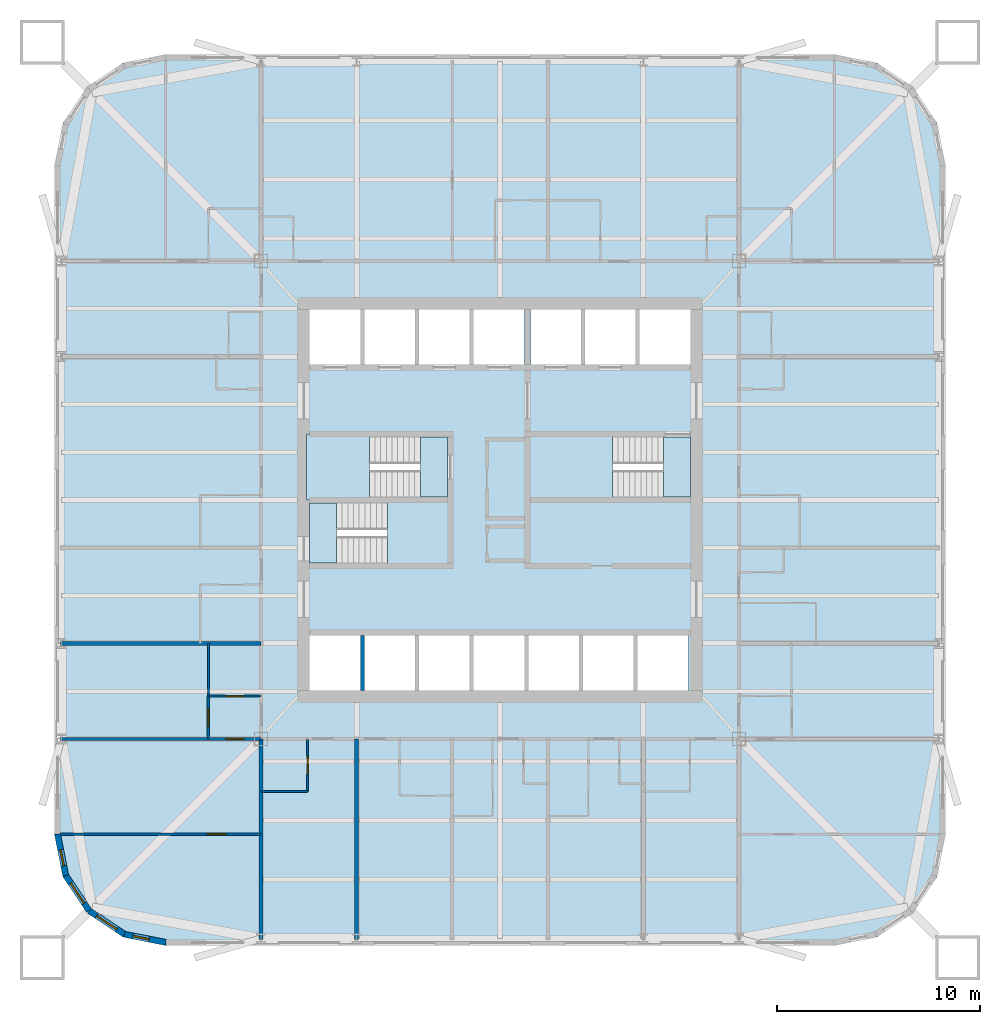
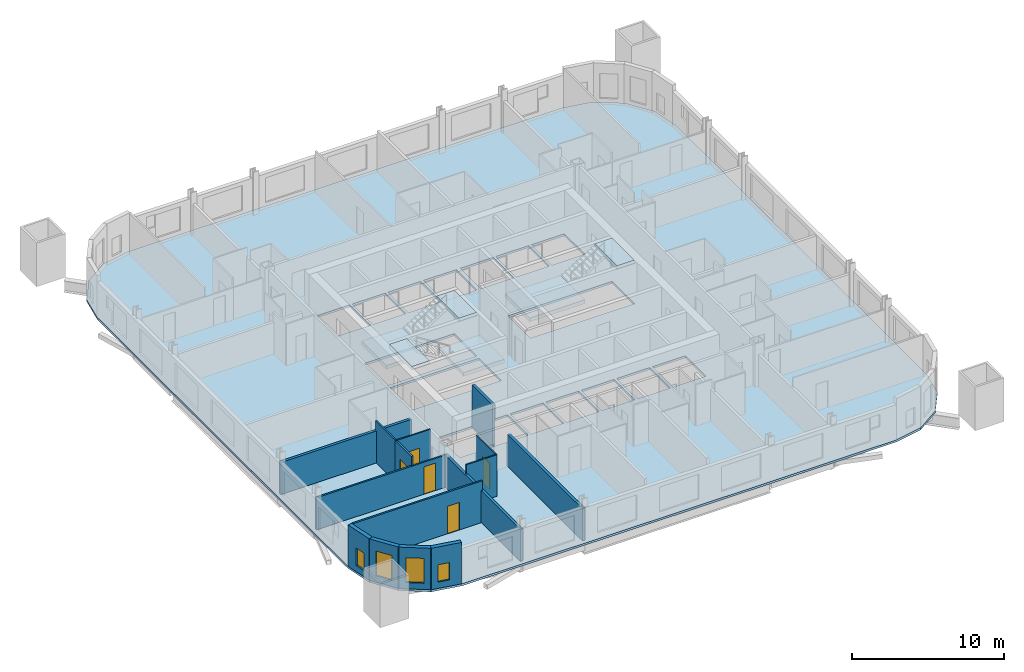
# One storey, part 2 of 10: 15 walls, 7 slabs, 5 doors, 4 windows, 9 openings, 3 elements without a shape of their own.
"""IFC4 building model written with IfcOpenShell, lengths in metres."""

from ifc_helpers import new_model, si_unit, direction, frame, frame_2d, origin, place, context, subcontext, project, spatial, polyline, rectangle, outline, extrude, material, layer, layer_set, type_object, element, fill, aggregate, save


model = new_model("IFC4")

# Units and contexts
model_context = context("Model", 3, precision=1e-05, world=origin(), true_north=direction((0.0, 1.0)))
body_context = subcontext(model_context, "Body", "Model", "MODEL_VIEW")
ifc_project = project(units=[si_unit("LENGTHUNIT", "METRE"), si_unit("AREAUNIT", "SQUARE_METRE"), si_unit("VOLUMEUNIT", "CUBIC_METRE"), si_unit("PLANEANGLEUNIT", "RADIAN"), si_unit("MASSUNIT", "GRAM", prefix="KILO")], contexts=[model_context])

# Site, building, storey
site_placement = place(None, origin())
site = spatial("IfcSite", under=ifc_project, at=site_placement, CompositionType="ELEMENT")
building_placement = place(site_placement, origin())
building = spatial("IfcBuilding", under=site, at=building_placement, Name="Turquesa Mirador Hotel Tower", CompositionType="ELEMENT")
storey_placement = place(building_placement, frame((0.0, 0.0, 77.5)))
storey = spatial("IfcBuildingStorey", under=building, at=storey_placement, Name="L20", CompositionType="ELEMENT", Elevation=77.5)

# Slab
ifc_material_1 = material(Name="Concrete C28/35", Category="concrete")
ifc_layer_1 = layer(ifc_material_1, 0.169921875)
ifc_layer_set_1 = layer_set([ifc_layer_1], Name="COMPOSITE FLOOR SLAB 170")
slab_type_1 = type_object("IfcSlabType", Name="COMPOSITE FLOOR SLAB 170", PredefinedType="FLOOR", material=ifc_layer_set_1)
slab_1_placement = place(storey_placement, frame((0.0, 0.0, -0.169921875)))
element("IfcSlab", 1, at=slab_1_placement, inside=storey, type_object=slab_type_1, Name="Floor slab L20", PredefinedType="FLOOR", context=body_context, shape_type="SweptSolid", body=[
    extrude(outline(polyline([(71.5, 23.0), (73.604736328125, 23.418701171875), (75.38916015625, 24.61083984375), (76.581298828125, 26.395263671875), (77.0, 28.5), (77.0, 61.5), (76.581298828125, 63.604736328125), (75.38916015625, 65.38916015625), (73.604736328125, 66.581298828125), (71.5, 67.0), (38.5, 67.0), (36.395263671875, 66.581298828125), (34.61083984375, 65.38916015625), (33.418701171875, 63.604736328125), (33.0, 61.5), (33.0, 28.5), (33.418701171875, 26.395263671875), (34.61083984375, 24.61083984375), (36.395263671875, 23.418701171875), (38.5, 23.0), (71.5, 23.0)]), holes=[polyline([(45.60009765625, 51.699951171875), (48.10009765625, 51.699951171875), (48.10009765625, 54.39990234375), (45.60009765625, 54.39990234375), (45.60009765625, 51.699951171875)]), polyline([(48.300048828125, 51.699951171875), (50.800048828125, 51.699951171875), (50.800048828125, 54.39990234375), (48.300048828125, 54.39990234375), (48.300048828125, 51.699951171875)]), polyline([(51.0, 51.699951171875), (53.5, 51.699951171875), (53.5, 54.39990234375), (51.0, 54.39990234375), (51.0, 51.699951171875)]), polyline([(53.699951171875, 51.699951171875), (56.199951171875, 51.699951171875), (56.199951171875, 54.39990234375), (53.699951171875, 54.39990234375), (53.699951171875, 51.699951171875)]), polyline([(56.5, 51.699951171875), (59.0, 51.699951171875), (59.0, 54.39990234375), (56.5, 54.39990234375), (56.5, 51.699951171875)]), polyline([(59.199951171875, 51.699951171875), (61.699951171875, 51.699951171875), (61.699951171875, 54.39990234375), (59.199951171875, 54.39990234375), (59.199951171875, 51.699951171875)]), polyline([(45.60009765625, 35.60009765625), (48.10009765625, 35.60009765625), (48.10009765625, 38.300048828125), (45.60009765625, 38.300048828125), (45.60009765625, 35.60009765625)]), polyline([(48.300048828125, 35.60009765625), (50.800048828125, 35.60009765625), (50.800048828125, 38.300048828125), (48.300048828125, 38.300048828125), (48.300048828125, 35.60009765625)]), polyline([(51.0, 35.60009765625), (53.5, 35.60009765625), (53.5, 38.300048828125), (51.0, 38.300048828125), (51.0, 35.60009765625)]), polyline([(53.699951171875, 35.60009765625), (56.199951171875, 35.60009765625), (56.199951171875, 38.300048828125), (53.699951171875, 38.300048828125), (53.699951171875, 35.60009765625)]), polyline([(56.39990234375, 35.60009765625), (58.89990234375, 35.60009765625), (58.89990234375, 38.300048828125), (56.39990234375, 38.300048828125), (56.39990234375, 35.60009765625)]), polyline([(59.10009765625, 35.60009765625), (61.60009765625, 35.60009765625), (61.60009765625, 38.300048828125), (59.10009765625, 38.300048828125), (59.10009765625, 35.60009765625)]), polyline([(61.800048828125, 35.60009765625), (64.300048828125, 35.60009765625), (64.300048828125, 38.300048828125), (61.800048828125, 38.300048828125), (61.800048828125, 35.60009765625)]), polyline([(45.60009765625, 45.14990234375), (52.39990234375, 45.14990234375), (52.39990234375, 48.10009765625), (45.60009765625, 48.10009765625), (45.60009765625, 45.14990234375)]), polyline([(45.60009765625, 41.89990234375), (52.39990234375, 41.89990234375), (52.39990234375, 44.85009765625), (45.60009765625, 44.85009765625), (45.60009765625, 41.89990234375)]), polyline([(56.5, 45.14990234375), (64.39990234375, 45.14990234375), (64.39990234375, 48.10009765625), (56.5, 48.10009765625), (56.5, 45.14990234375)]), polyline([(61.89990234375, 51.699951171875), (64.39990234375, 51.699951171875), (64.39990234375, 54.39990234375), (61.89990234375, 54.39990234375), (61.89990234375, 51.699951171875)])]), origin(), (0.0, 0.0, 1.0), 0.169921875),
])

# Stair, slabs
ifc_material_2 = material(Name="Concrete C35/45", Category="concrete")
stair_type = type_object("IfcStairType", Name="ESCAPE STAIR CORE", PredefinedType="HALF_TURN_STAIR", material=ifc_material_2)
stair_1_placement = place(storey_placement, origin())
stair_1 = element("IfcStair", 2, at=stair_1_placement, inside=storey, type_object=stair_type, Name="Stair ST1 L20 to L21", PredefinedType="HALF_TURN_STAIR")
ifc_material_3 = material(Name="Concrete C35/45", Category="concrete")
ifc_layer_2 = layer(ifc_material_3, 0.300048828125)
ifc_layer_set_2 = layer_set([ifc_layer_2], Name="STAIR LANDING 300")
slab_type_2 = type_object("IfcSlabType", Name="STAIR LANDING 300", PredefinedType="LANDING", material=ifc_layer_set_2)
slab_2_placement = place(storey_placement, frame((0.0, 0.0, 1.449951171875)))
slab_2 = element("IfcSlab", 3, at=slab_2_placement, type_object=slab_type_2, Name="ST1 landing 1", PredefinedType="LANDING", context=body_context, shape_type="SweptSolid", body=[
    extrude(outline(polyline([(45.449951171875, 45.0), (48.550048828125, 45.0), (48.550048828125, 48.25), (45.449951171875, 48.25), (45.449951171875, 45.0)])), origin(), (0.0, 0.0, 1.0), 0.300048828125),
])
slab_3_placement = place(storey_placement, frame((0.0, 0.0, 3.199951171875)))
slab_3 = element("IfcSlab", 4, at=slab_3_placement, type_object=slab_type_2, Name="ST1 landing 2", PredefinedType="LANDING", context=body_context, shape_type="SweptSolid", body=[
    extrude(outline(polyline([(51.070068359375, 45.14990234375), (52.39990234375, 45.14990234375), (52.39990234375, 48.10009765625), (51.070068359375, 48.10009765625), (51.070068359375, 45.14990234375)])), origin(), (0.0, 0.0, 1.0), 0.300048828125),
])
aggregate(stair_1, [slab_2, slab_3])

stair_2_placement = place(storey_placement, origin())
stair_2 = element("IfcStair", 5, at=stair_2_placement, inside=storey, type_object=stair_type, Name="Stair ST2 L20 to L21", PredefinedType="HALF_TURN_STAIR")
slab_4_placement = place(storey_placement, frame((0.0, 0.0, 1.449951171875)))
slab_4 = element("IfcSlab", 6, at=slab_4_placement, type_object=slab_type_2, Name="ST2 landing 1", PredefinedType="LANDING", context=body_context, shape_type="SweptSolid", body=[
    extrude(outline(polyline([(52.550048828125, 45.0), (49.449951171875, 45.0), (49.449951171875, 41.75), (52.550048828125, 41.75), (52.550048828125, 45.0)])), origin(), (0.0, 0.0, 1.0), 0.300048828125),
])
slab_5_placement = place(storey_placement, frame((0.0, 0.0, 3.199951171875)))
slab_5 = element("IfcSlab", 7, at=slab_5_placement, type_object=slab_type_2, Name="ST2 landing 2", PredefinedType="LANDING", context=body_context, shape_type="SweptSolid", body=[
    extrude(outline(polyline([(46.929931640625, 44.85009765625), (45.60009765625, 44.85009765625), (45.60009765625, 41.89990234375), (46.929931640625, 41.89990234375), (46.929931640625, 44.85009765625)])), origin(), (0.0, 0.0, 1.0), 0.300048828125),
])
aggregate(stair_2, [slab_4, slab_5])

stair_3_placement = place(storey_placement, origin())
stair_3 = element("IfcStair", 8, at=stair_3_placement, inside=storey, type_object=stair_type, Name="Stair ST3 L20 to L21", PredefinedType="HALF_TURN_STAIR")
slab_6_placement = place(storey_placement, frame((0.0, 0.0, 1.449951171875)))
slab_6 = element("IfcSlab", 9, at=slab_6_placement, type_object=slab_type_2, Name="ST3 landing 1", PredefinedType="LANDING", context=body_context, shape_type="SweptSolid", body=[
    extrude(outline(polyline([(56.35009765625, 45.0), (60.550048828125, 45.0), (60.550048828125, 48.25), (56.35009765625, 48.25), (56.35009765625, 45.0)])), origin(), (0.0, 0.0, 1.0), 0.300048828125),
])
slab_7_placement = place(storey_placement, frame((0.0, 0.0, 3.199951171875)))
slab_7 = element("IfcSlab", 10, at=slab_7_placement, type_object=slab_type_2, Name="ST3 landing 2", PredefinedType="LANDING", context=body_context, shape_type="SweptSolid", body=[
    extrude(outline(polyline([(63.070068359375, 45.14990234375), (64.39990234375, 45.14990234375), (64.39990234375, 48.10009765625), (63.070068359375, 48.10009765625), (63.070068359375, 45.14990234375)])), origin(), (0.0, 0.0, 1.0), 0.300048828125),
])
aggregate(stair_3, [slab_6, slab_7])

# Wall
ifc_material_4 = material(Name="Gypsum board on steel studs", Category="steel")
ifc_layer_3 = layer(ifc_material_4, 0.10009765625)
ifc_layer_set_3 = layer_set([ifc_layer_3], Name="BATHROOM WALL 100")
wall_type_1 = type_object("IfcWallType", Name="BATHROOM WALL 100", PredefinedType="PARTITIONING", material=ifc_layer_set_3)
wall_1_placement = place(storey_placement, frame((43.199951171875, 30.60009765625, 0.0), z_axis=(0.0, 0.0, 1.0), x_axis=(1.0, 0.0, 0.0)))
element("IfcWall", 11, at=wall_1_placement, inside=storey, type_object=wall_type_1, Name="Partition L20 006", PredefinedType="PARTITIONING", context=body_context, shape_type="SweptSolid", body=[
    extrude(rectangle(XDim=2.300048828125, YDim=0.10009765625, at=frame_2d((1.14990234375, 0.0))), origin(), (0.0, 0.0, 1.0), 3.330078125),
])

# Wall, opening, door
wall_2_placement = place(storey_placement, frame((40.60009765625, 35.320068359375, 0.0), z_axis=(0.0, 0.0, 1.0), x_axis=(1.0, 0.0, 0.0)))
wall_2 = element("IfcWall", 12, at=wall_2_placement, inside=storey, type_object=wall_type_1, Name="Partition L20 020", PredefinedType="PARTITIONING", context=body_context, shape_type="SweptSolid", body=[
    extrude(rectangle(XDim=2.599853515625, YDim=0.10009765625, at=frame_2d((1.2998046875, 0.0))), origin(), (0.0, 0.0, 1.0), 3.330078125),
])
opening_1_placement = place(wall_2_placement, frame((0.85009765625, 0.0, 0.0)))
opening_1 = element("IfcOpeningElement", 13, at=opening_1_placement, cuts=wall_2, Name="Opening D02", PredefinedType="OPENING", context=body_context, shape_type="SweptSolid", body=[
    extrude(rectangle(XDim=0.89990234375, YDim=2.10009765625, at=frame_2d((0.449951171875, 1.050048828125))), frame((0.0, 0.06005859375, 0.0), z_axis=(0.0, -1.0, 0.0), x_axis=(1.0, 0.0, 0.0)), (0.0, 0.0, 1.0), 0.1201171875),
])
ifc_material_5 = material(Name="Timber veneered door", Category="wood")
door_type_1 = type_object("IfcDoorType", Name="DOOR 900X2100 EN-SUITE", OperationType="SINGLE_SWING_RIGHT", PredefinedType="DOOR", material=ifc_material_5)
door_1_placement = place(opening_1_placement, origin())
door_1 = element("IfcDoor", 14, at=door_1_placement, inside=storey, type_object=door_type_1, Name="Door 2014B", OperationType="SINGLE_SWING_RIGHT", OverallHeight=2.10009765625, OverallWidth=0.89990234375, PredefinedType="DOOR", context=body_context, shape_type="SweptSolid", body=[
    extrude(rectangle(XDim=0.89990234375, YDim=2.10009765625, at=frame_2d((0.449951171875, 1.050048828125))), frame((0.0, 0.02490234375, 0.0), z_axis=(0.0, -1.0, 0.0), x_axis=(1.0, 0.0, 0.0)), (0.0, 0.0, 1.0), 0.050048828125),
])
fill(opening_1, door_1)

# Wall
wall_3_placement = place(storey_placement, frame((40.60009765625, 35.320068359375, 0.0), z_axis=(0.0, 0.0, 1.0), x_axis=(0.0, 1.0, 0.0)))
element("IfcWall", 15, at=wall_3_placement, inside=storey, type_object=wall_type_1, Name="Partition L20 048", PredefinedType="PARTITIONING", context=body_context, shape_type="SweptSolid", body=[
    extrude(rectangle(XDim=2.599853515625, YDim=0.10009765625, at=frame_2d((1.2998046875, 0.0))), origin(), (0.0, 0.0, 1.0), 3.330078125),
])

# Wall, opening, door
wall_4_placement = place(storey_placement, frame((45.5, 30.60009765625, 0.0), z_axis=(0.0, 0.0, 1.0), x_axis=(0.0, 1.0, 0.0)))
wall_4 = element("IfcWall", 16, at=wall_4_placement, inside=storey, type_object=wall_type_1, Name="Partition L20 058", PredefinedType="PARTITIONING", context=body_context, shape_type="SweptSolid", body=[
    extrude(rectangle(XDim=2.599853515625, YDim=0.10009765625, at=frame_2d((1.2998046875, 0.0))), origin(), (0.0, 0.0, 1.0), 3.330078125),
])
opening_2_placement = place(wall_4_placement, frame((0.85009765625, 0.0, 0.0)))
opening_2 = element("IfcOpeningElement", 17, at=opening_2_placement, cuts=wall_4, Name="Opening D02", PredefinedType="OPENING", context=body_context, shape_type="SweptSolid", body=[
    extrude(rectangle(XDim=0.89990234375, YDim=2.10009765625, at=frame_2d((0.449951171875, 1.050048828125))), frame((0.0, 0.06005859375, 0.0), z_axis=(0.0, -1.0, 0.0), x_axis=(1.0, 0.0, 0.0)), (0.0, 0.0, 1.0), 0.1201171875),
])
door_2_placement = place(opening_2_placement, origin())
door_2 = element("IfcDoor", 18, at=door_2_placement, inside=storey, type_object=door_type_1, Name="Door 2003B", OperationType="SINGLE_SWING_RIGHT", OverallHeight=2.10009765625, OverallWidth=0.89990234375, PredefinedType="DOOR", context=body_context, shape_type="SweptSolid", body=[
    extrude(rectangle(XDim=0.89990234375, YDim=2.10009765625, at=frame_2d((0.449951171875, 1.050048828125))), frame((0.0, 0.02490234375, 0.0), z_axis=(0.0, -1.0, 0.0), x_axis=(1.0, 0.0, 0.0)), (0.0, 0.0, 1.0), 0.050048828125),
])
fill(opening_2, door_2)

# Wall, opening, window
ifc_material_6 = material(Name="Limestone cladding on concrete block", Category="masonry")
ifc_layer_4 = layer(ifc_material_6, 0.300048828125)
ifc_layer_set_4 = layer_set([ifc_layer_4], Name="FACADE WALL 300 STONE SCREEN")
wall_type_2 = type_object("IfcWallType", Name="FACADE WALL 300 STONE SCREEN", PredefinedType="SOLIDWALL", material=ifc_layer_set_4)
wall_5_placement = place(storey_placement, frame((33.14990234375, 28.5, 0.0), z_axis=(0.0, 0.0, 1.0), x_axis=(0.195081421501, -0.980787050784, 0.0)))
wall_5 = element("IfcWall", 19, at=wall_5_placement, inside=storey, type_object=wall_type_2, Name="Facade wall L20 15", PredefinedType="SOLIDWALL", context=body_context, shape_type="SweptSolid", body=[
    extrude(rectangle(XDim=2.08740234375, YDim=0.300048828125, at=frame_2d((1.043701171875, 0.0))), origin(), (0.0, 0.0, 1.0), 3.330078125),
])
opening_3_placement = place(wall_5_placement, frame((0.793701171875, 0.0, 0.5)))
opening_3 = element("IfcOpeningElement", 20, at=opening_3_placement, cuts=wall_5, Name="Opening WN20", PredefinedType="OPENING", context=body_context, shape_type="SweptSolid", body=[
    extrude(rectangle(XDim=0.800048828125, YDim=1.39990234375, at=frame_2d((0.39990234375, 0.699951171875))), frame((0.0, 0.159912109375, 0.0), z_axis=(0.0, -1.0, 0.0), x_axis=(1.0, 0.0, 0.0)), (0.0, 0.0, 1.0), 0.320068359375),
])
ifc_material_7 = material(Name="Ceramic-fritted laminated glass", Category="glass")
window_type_1 = type_object("IfcWindowType", Name="FRITTED CORNER WINDOW 800X1400", PartitioningType="DOUBLE_PANEL_HORIZONTAL", PredefinedType="WINDOW", material=ifc_material_7)
window_1_placement = place(opening_3_placement, origin())
window_1 = element("IfcWindow", 21, at=window_1_placement, inside=storey, type_object=window_type_1, Name="Window L20", OverallHeight=1.39990234375, OverallWidth=0.800048828125, PartitioningType="SINGLE_PANEL", PredefinedType="WINDOW", context=body_context, shape_type="SweptSolid", body=[
    extrude(rectangle(XDim=0.800048828125, YDim=1.39990234375, at=frame_2d((0.39990234375, 0.699951171875))), frame((0.0, 0.030029296875, 0.0), z_axis=(0.0, -1.0, 0.0), x_axis=(1.0, 0.0, 0.0)), (0.0, 0.0, 1.0), 0.06005859375),
])
fill(opening_3, window_1)

wall_6_placement = place(storey_placement, frame((33.55712890625, 26.45263671875, 0.0), z_axis=(0.0, 0.0, 1.0), x_axis=(0.555644460423, -0.831420010345, 0.0)))
wall_6 = element("IfcWall", 22, at=wall_6_placement, inside=storey, type_object=wall_type_2, Name="Facade wall L20 16", PredefinedType="SOLIDWALL", context=body_context, shape_type="SweptSolid", body=[
    extrude(rectangle(XDim=2.08740234375, YDim=0.300048828125, at=frame_2d((1.043701171875, 0.0))), origin(), (0.0, 0.0, 1.0), 3.330078125),
])
opening_4_placement = place(wall_6_placement, frame((0.443603515625, 0.0, 0.5)))
opening_4 = element("IfcOpeningElement", 23, at=opening_4_placement, cuts=wall_6, Name="Opening WN4", PredefinedType="OPENING", context=body_context, shape_type="SweptSolid", body=[
    extrude(rectangle(XDim=1.199951171875, YDim=2.0, at=frame_2d((0.60009765625, 1.0))), frame((0.0, 0.159912109375, 0.0), z_axis=(0.0, -1.0, 0.0), x_axis=(1.0, 0.0, 0.0)), (0.0, 0.0, 1.0), 0.320068359375),
])
ifc_material_8 = material(Name="Ceramic-fritted laminated glass", Category="glass")
window_type_2 = type_object("IfcWindowType", Name="FRITTED CORNER WINDOW 1200X2000", PartitioningType="DOUBLE_PANEL_HORIZONTAL", PredefinedType="WINDOW", material=ifc_material_8)
window_2_placement = place(opening_4_placement, origin())
window_2 = element("IfcWindow", 24, at=window_2_placement, inside=storey, type_object=window_type_2, Name="Window L20", OverallHeight=2.0, OverallWidth=1.199951171875, PartitioningType="SINGLE_PANEL", PredefinedType="WINDOW", context=body_context, shape_type="SweptSolid", body=[
    extrude(rectangle(XDim=1.199951171875, YDim=2.0, at=frame_2d((0.60009765625, 1.0))), frame((0.0, 0.030029296875, 0.0), z_axis=(0.0, -1.0, 0.0), x_axis=(1.0, 0.0, 0.0)), (0.0, 0.0, 1.0), 0.06005859375),
])
fill(opening_4, window_2)

wall_7_placement = place(storey_placement, frame((34.717041015625, 24.717041015625, 0.0), z_axis=(0.0, 0.0, 1.0), x_axis=(0.831420010345, -0.555644460423, 0.0)))
wall_7 = element("IfcWall", 25, at=wall_7_placement, inside=storey, type_object=wall_type_2, Name="Facade wall L20 17", PredefinedType="SOLIDWALL", context=body_context, shape_type="SweptSolid", body=[
    extrude(rectangle(XDim=2.08740234375, YDim=0.300048828125, at=frame_2d((1.043701171875, 0.0))), origin(), (0.0, 0.0, 1.0), 3.330078125),
])
opening_5_placement = place(wall_7_placement, frame((0.443603515625, 0.0, 0.5)))
opening_5 = element("IfcOpeningElement", 26, at=opening_5_placement, cuts=wall_7, Name="Opening WN4", PredefinedType="OPENING", context=body_context, shape_type="SweptSolid", body=[
    extrude(rectangle(XDim=1.199951171875, YDim=2.0, at=frame_2d((0.60009765625, 1.0))), frame((0.0, 0.159912109375, 0.0), z_axis=(0.0, -1.0, 0.0), x_axis=(1.0, 0.0, 0.0)), (0.0, 0.0, 1.0), 0.320068359375),
])
window_3_placement = place(opening_5_placement, origin())
window_3 = element("IfcWindow", 27, at=window_3_placement, inside=storey, type_object=window_type_2, Name="Window L20", OverallHeight=2.0, OverallWidth=1.199951171875, PartitioningType="SINGLE_PANEL", PredefinedType="WINDOW", context=body_context, shape_type="SweptSolid", body=[
    extrude(rectangle(XDim=1.199951171875, YDim=2.0, at=frame_2d((0.60009765625, 1.0))), frame((0.0, 0.030029296875, 0.0), z_axis=(0.0, -1.0, 0.0), x_axis=(1.0, 0.0, 0.0)), (0.0, 0.0, 1.0), 0.06005859375),
])
fill(opening_5, window_3)

wall_8_placement = place(storey_placement, frame((36.45263671875, 23.55712890625, 0.0), z_axis=(0.0, 0.0, 1.0), x_axis=(0.980787050784, -0.195081421501, 0.0)))
wall_8 = element("IfcWall", 28, at=wall_8_placement, inside=storey, type_object=wall_type_2, Name="Facade wall L20 18", PredefinedType="SOLIDWALL", context=body_context, shape_type="SweptSolid", body=[
    extrude(rectangle(XDim=2.08740234375, YDim=0.300048828125, at=frame_2d((1.043701171875, 0.0))), origin(), (0.0, 0.0, 1.0), 3.330078125),
])
opening_6_placement = place(wall_8_placement, frame((0.443603515625, 0.0, 0.5)))
opening_6 = element("IfcOpeningElement", 29, at=opening_6_placement, cuts=wall_8, Name="Opening WN20", PredefinedType="OPENING", context=body_context, shape_type="SweptSolid", body=[
    extrude(rectangle(XDim=0.800048828125, YDim=1.39990234375, at=frame_2d((0.39990234375, 0.699951171875))), frame((0.0, 0.159912109375, 0.0), z_axis=(0.0, -1.0, 0.0), x_axis=(1.0, 0.0, 0.0)), (0.0, 0.0, 1.0), 0.320068359375),
])
window_4_placement = place(opening_6_placement, origin())
window_4 = element("IfcWindow", 30, at=window_4_placement, inside=storey, type_object=window_type_1, Name="Window L20", OverallHeight=1.39990234375, OverallWidth=0.800048828125, PartitioningType="SINGLE_PANEL", PredefinedType="WINDOW", context=body_context, shape_type="SweptSolid", body=[
    extrude(rectangle(XDim=0.800048828125, YDim=1.39990234375, at=frame_2d((0.39990234375, 0.699951171875))), frame((0.0, 0.030029296875, 0.0), z_axis=(0.0, -1.0, 0.0), x_axis=(1.0, 0.0, 0.0)), (0.0, 0.0, 1.0), 0.06005859375),
])
fill(opening_6, window_4)

# Walls
ifc_material_9 = material(Name="Fire-rated gypsum shaft wall on steel studs", Category="steel")
ifc_layer_5 = layer(ifc_material_9, 0.199951171875)
ifc_layer_set_5 = layer_set([ifc_layer_5], Name="LIFT SHAFT DIVIDER 200")
wall_type_3 = type_object("IfcWallType", Name="LIFT SHAFT DIVIDER 200", PredefinedType="PARTITIONING", material=ifc_layer_set_5)
wall_9_placement = place(storey_placement, frame((48.199951171875, 35.60009765625, 0.0), z_axis=(0.0, 0.0, 1.0), x_axis=(0.0, 1.0, 0.0)))
element("IfcWall", 31, at=wall_9_placement, inside=storey, type_object=wall_type_3, Name="Lift shaft divider", PredefinedType="PARTITIONING", context=body_context, shape_type="SweptSolid", body=[
    extrude(rectangle(XDim=2.699951171875, YDim=0.199951171875, at=frame_2d((1.35009765625, 0.0))), origin(), (0.0, 0.0, 1.0), 3.330078125),
])
ifc_material_10 = material(Name="Fire-rated gypsum board on steel studs", Category="steel")
ifc_layer_6 = layer(ifc_material_10, 0.199951171875)
ifc_layer_set_6 = layer_set([ifc_layer_6], Name="PARTY WALL 200")
wall_type_4 = type_object("IfcWallType", Name="PARTY WALL 200", PredefinedType="PARTITIONING", material=ifc_layer_set_6)
for number, where, z_axis, x_axis, name in (
    (32, (33.300048828125, 37.919921875, 0.0), (0.0, 0.0, 1.0), (1.0, 0.0, 0.0), "Partition L20 018"),
    (33, (43.199951171875, 23.300048828125, 0.0), (0.0, 0.0, 1.0), (0.0, 1.0, 0.0), "Partition L20 044"),
    (34, (47.919921875, 23.300048828125, 0.0), (0.0, 0.0, 1.0), (0.0, 1.0, 0.0), "Partition L20 057"),
):
    element("IfcWall", number, at=place(storey_placement, frame(where, z_axis=z_axis, x_axis=x_axis)), inside=storey, type_object=wall_type_4, Name=name, PredefinedType="PARTITIONING", context=body_context, shape_type="SweptSolid", body=[
        extrude(rectangle(XDim=9.89990234375, YDim=0.199951171875, at=frame_2d((4.949951171875, 0.0))), origin(), (0.0, 0.0, 1.0), 2.572998046875),
    ])

# Wall, opening, door
ifc_material_11 = material(Name="Acoustic gypsum board on steel studs", Category="steel")
ifc_layer_7 = layer(ifc_material_11, 0.125)
ifc_layer_set_7 = layer_set([ifc_layer_7], Name="SUITE PARTITION 125")
wall_type_5 = type_object("IfcWallType", Name="SUITE PARTITION 125", PredefinedType="PARTITIONING", material=ifc_layer_set_7)
wall_10_placement = place(storey_placement, frame((33.300048828125, 33.199951171875, 0.0), z_axis=(0.0, 0.0, 1.0), x_axis=(1.0, 0.0, 0.0)))
wall_10 = element("IfcWall", 35, at=wall_10_placement, inside=storey, type_object=wall_type_5, Name="Partition L20 002", PredefinedType="PARTITIONING", context=body_context, shape_type="SweptSolid", body=[
    extrude(rectangle(XDim=9.89990234375, YDim=0.125, at=frame_2d((4.949951171875, 0.0))), origin(), (0.0, 0.0, 1.0), 2.572998046875),
])
opening_7_placement = place(wall_10_placement, frame((8.14990234375, 0.0, 0.0)))
opening_7 = element("IfcOpeningElement", 36, at=opening_7_placement, cuts=wall_10, Name="Opening D17", PredefinedType="OPENING", context=body_context, shape_type="SweptSolid", body=[
    extrude(rectangle(XDim=0.89990234375, YDim=2.199951171875, at=frame_2d((0.449951171875, 1.10009765625))), frame((0.0, 0.072509765625, 0.0), z_axis=(0.0, -1.0, 0.0), x_axis=(1.0, 0.0, 0.0)), (0.0, 0.0, 1.0), 0.14501953125),
])
ifc_material_12 = material(Name="Timber veneered door", Category="wood")
door_type_2 = type_object("IfcDoorType", Name="DOOR 900X2200 SUITE INTERNAL", OperationType="SINGLE_SWING_LEFT", PredefinedType="DOOR", material=ifc_material_12)
door_3_placement = place(opening_7_placement, origin())
door_3 = element("IfcDoor", 37, at=door_3_placement, inside=storey, type_object=door_type_2, Name="Door 2014", OperationType="SINGLE_SWING_LEFT", OverallHeight=2.199951171875, OverallWidth=0.89990234375, PredefinedType="DOOR", context=body_context, shape_type="SweptSolid", body=[
    extrude(rectangle(XDim=0.89990234375, YDim=2.199951171875, at=frame_2d((0.449951171875, 1.10009765625))), frame((0.0, 0.02490234375, 0.0), z_axis=(0.0, -1.0, 0.0), x_axis=(1.0, 0.0, 0.0)), (0.0, 0.0, 1.0), 0.050048828125),
])
fill(opening_7, door_3)

wall_11_placement = place(storey_placement, frame((33.305908203125, 28.5, 0.0), z_axis=(0.0, 0.0, 1.0), x_axis=(1.0, 0.0, 0.0)))
wall_11 = element("IfcWall", 38, at=wall_11_placement, inside=storey, type_object=wall_type_5, Name="Partition L20 011", PredefinedType="PARTITIONING", context=body_context, shape_type="SweptSolid", body=[
    extrude(rectangle(XDim=9.89404296875, YDim=0.125, at=frame_2d((4.947021484375, 0.0))), origin(), (0.0, 0.0, 1.0), 3.330078125),
])
opening_8_placement = place(wall_11_placement, frame((7.244140625, 0.0, 0.0)))
opening_8 = element("IfcOpeningElement", 39, at=opening_8_placement, cuts=wall_11, Name="Opening D17", PredefinedType="OPENING", context=body_context, shape_type="SweptSolid", body=[
    extrude(rectangle(XDim=0.89990234375, YDim=2.199951171875, at=frame_2d((0.449951171875, 1.10009765625))), frame((0.0, 0.072509765625, 0.0), z_axis=(0.0, -1.0, 0.0), x_axis=(1.0, 0.0, 0.0)), (0.0, 0.0, 1.0), 0.14501953125),
])
door_4_placement = place(opening_8_placement, origin())
door_4 = element("IfcDoor", 40, at=door_4_placement, inside=storey, type_object=door_type_2, Name="Door 2014M", OperationType="SINGLE_SWING_LEFT", OverallHeight=2.199951171875, OverallWidth=0.89990234375, PredefinedType="DOOR", context=body_context, shape_type="SweptSolid", body=[
    extrude(rectangle(XDim=0.89990234375, YDim=2.199951171875, at=frame_2d((0.449951171875, 1.10009765625))), frame((0.0, 0.02490234375, 0.0), z_axis=(0.0, -1.0, 0.0), x_axis=(1.0, 0.0, 0.0)), (0.0, 0.0, 1.0), 0.050048828125),
])
fill(opening_8, door_4)

wall_12_placement = place(storey_placement, frame((40.60009765625, 33.199951171875, 0.0), z_axis=(0.0, 0.0, 1.0), x_axis=(0.0, 1.0, 0.0)))
wall_12 = element("IfcWall", 41, at=wall_12_placement, inside=storey, type_object=wall_type_5, Name="Partition L20 050", PredefinedType="PARTITIONING", context=body_context, shape_type="SweptSolid", body=[
    extrude(rectangle(XDim=2.1201171875, YDim=0.125, at=frame_2d((1.06005859375, 0.0))), origin(), (0.0, 0.0, 1.0), 3.330078125),
])
opening_9_placement = place(wall_12_placement, frame((0.610107421875, 0.0, 0.0)))
opening_9 = element("IfcOpeningElement", 42, at=opening_9_placement, cuts=wall_12, Name="Opening D17", PredefinedType="OPENING", context=body_context, shape_type="SweptSolid", body=[
    extrude(rectangle(XDim=0.89990234375, YDim=2.199951171875, at=frame_2d((0.449951171875, 1.10009765625))), frame((0.0, 0.072509765625, 0.0), z_axis=(0.0, -1.0, 0.0), x_axis=(1.0, 0.0, 0.0)), (0.0, 0.0, 1.0), 0.14501953125),
])
door_5_placement = place(opening_9_placement, origin())
door_5 = element("IfcDoor", 43, at=door_5_placement, inside=storey, type_object=door_type_2, Name="Door 2014R", OperationType="SINGLE_SWING_LEFT", OverallHeight=2.199951171875, OverallWidth=0.89990234375, PredefinedType="DOOR", context=body_context, shape_type="SweptSolid", body=[
    extrude(rectangle(XDim=0.89990234375, YDim=2.199951171875, at=frame_2d((0.449951171875, 1.10009765625))), frame((0.0, 0.02490234375, 0.0), z_axis=(0.0, -1.0, 0.0), x_axis=(1.0, 0.0, 0.0)), (0.0, 0.0, 1.0), 0.050048828125),
])
fill(opening_9, door_5)

save(model, "model.ifc")
